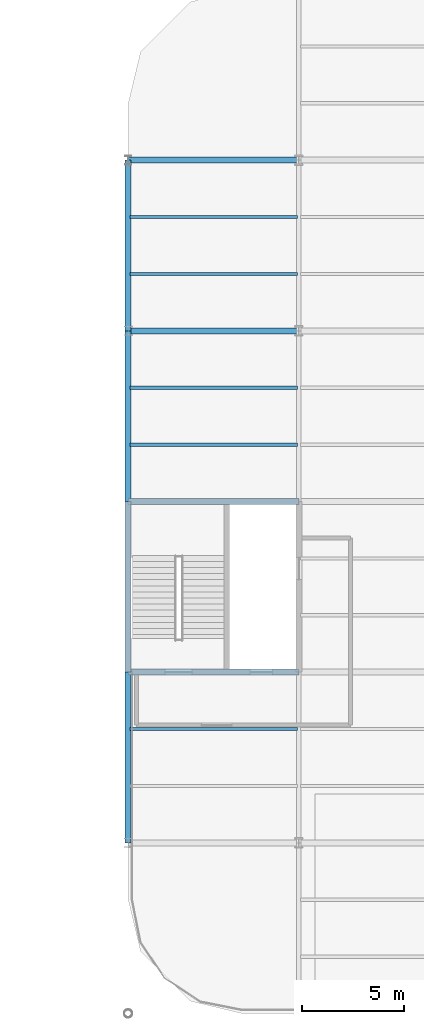
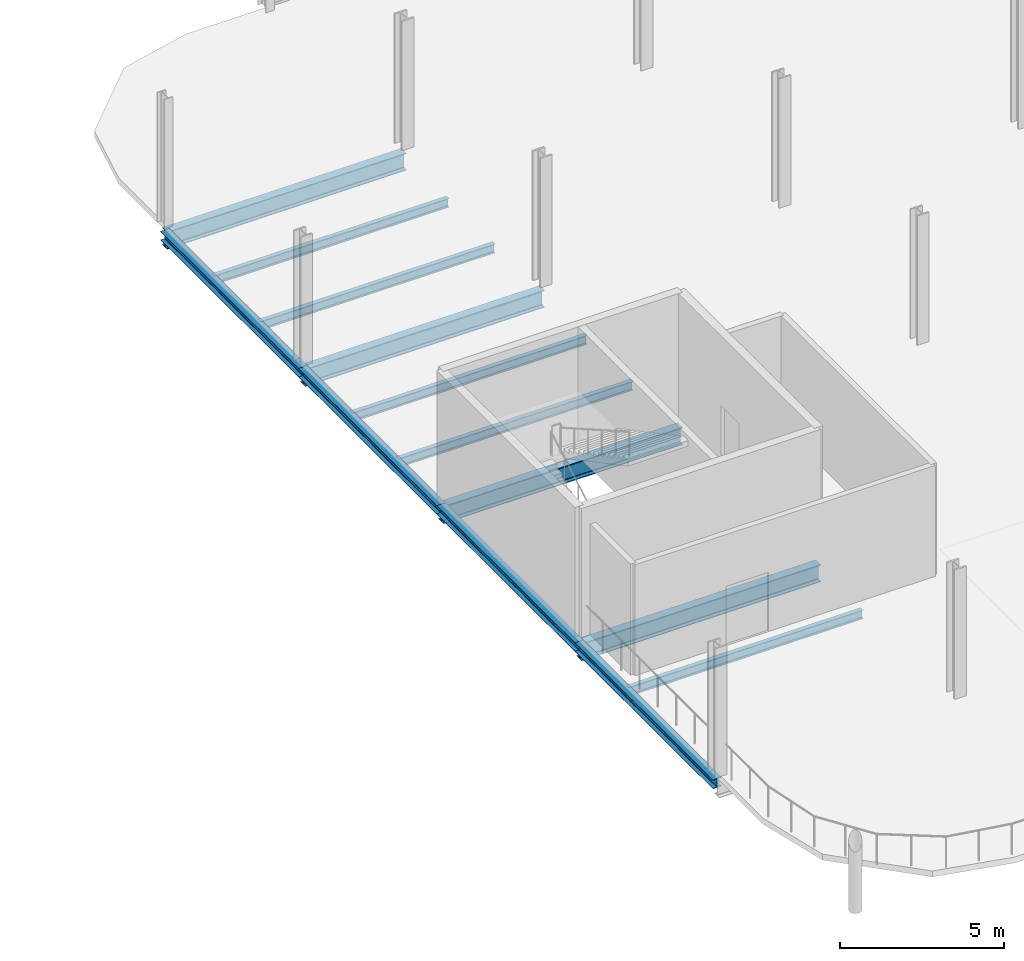
# One storey, part 71 of 145: 13 beams.
"""IFC4 building model written with IfcOpenShell, lengths in metres."""

from ifc_helpers import new_model, si_unit, direction, frame, origin, origin_2d, place, context, subcontext, project, spatial, i_section, extrude, material, material_profile, profile_set, type_object, element, save


model = new_model("IFC4")

# Units and contexts
model_context = context("Model", 3, precision=1e-05, world=origin(), true_north=direction((0.0, 1.0)))
body_context = subcontext(model_context, "Body", "Model", "MODEL_VIEW")
ifc_project = project(units=[si_unit("LENGTHUNIT", "METRE"), si_unit("AREAUNIT", "SQUARE_METRE"), si_unit("VOLUMEUNIT", "CUBIC_METRE"), si_unit("PLANEANGLEUNIT", "RADIAN"), si_unit("MASSUNIT", "GRAM", prefix="KILO")], contexts=[model_context])

# Site, building, storey
site_placement = place(None, origin())
site = spatial("IfcSite", under=ifc_project, at=site_placement, CompositionType="ELEMENT")
building_placement = place(site_placement, origin())
building = spatial("IfcBuilding", under=site, at=building_placement, Name="Qalvenar Corner Mobility Hub", CompositionType="ELEMENT")
storey_placement = place(building_placement, origin())
storey = spatial("IfcBuildingStorey", under=building, at=storey_placement, Name="L00", CompositionType="ELEMENT", Elevation=0.0)

# Beams
ifc_material = material(Name="Steel S355", Category="steel")
ifc_material_profile_1 = material_profile(ifc_material, i_section(OverallWidth=0.300048828125, OverallDepth=0.639892578125, WebThickness=0.013427734375, FlangeThickness=0.02587890625, FilletRadius=0.027099609375, at=origin_2d()), Name="HEA650")
ifc_profile_set_1 = profile_set([ifc_material_profile_1], Name="Steel S355")
beam_type_1 = type_object("IfcBeamType", Name="BM-HEA650", PredefinedType="BEAM", material=ifc_profile_set_1)
for number, where, z_axis, x_axis, name in (
    (1, (58.800048828125, 84.0, -0.5400390625), (1.0, 0.0, 0.0), (0.0, 1.0, 0.0), "Primary Steel Girder GX-0541"),
    (2, (58.800048828125, 92.39990234375, -0.5400390625), (1.0, 0.0, 0.0), (0.0, 1.0, 0.0), "Primary Steel Girder GX-0551"),
    (3, (58.800048828125, 100.800048828125, -0.5400390625), (1.0, 0.0, 0.0), (0.0, 1.0, 0.0), "Primary Steel Girder GX-0561"),
    (4, (58.800048828125, 109.199951171875, -0.5400390625), (1.0, 0.0, 0.0), (0.0, 1.0, 0.0), "Primary Steel Girder GX-0571"),
):
    element("IfcBeam", number, at=place(storey_placement, frame(where, z_axis=z_axis, x_axis=x_axis)), inside=storey, type_object=beam_type_1, Name=name, PredefinedType="BEAM", context=body_context, shape_type="SweptSolid", body=[
        extrude(i_section(OverallWidth=0.300048828125, OverallDepth=0.639892578125, WebThickness=0.013427734375, FlangeThickness=0.02587890625, FilletRadius=0.027099609375, at=origin_2d()), origin(), (0.0, 0.0, 1.0), 8.39990234375),
    ])
ifc_material_profile_2 = material_profile(ifc_material, i_section(OverallWidth=0.159912109375, OverallDepth=0.330078125, WebThickness=0.007568359375, FlangeThickness=0.011474609375, FilletRadius=0.01806640625, at=origin_2d()), Name="IPE330")
ifc_profile_set_2 = profile_set([ifc_material_profile_2], Name="Steel S355")
beam_type_2 = type_object("IfcBeamType", Name="BM-JST330", PredefinedType="JOIST", material=ifc_profile_set_2)
for number, where, z_axis, x_axis, name in (
    (5, (58.8779296875, 81.199951171875, -0.385009765625), (1.0, 0.0, 0.0), (0.0, 1.0, 0.0), "Composite Floor Joist J-0652"),
    (6, (58.8779296875, 95.199951171875, -0.385009765625), (1.0, 0.0, 0.0), (0.0, 1.0, 0.0), "Composite Floor Joist J-0653"),
    (7, (58.8779296875, 98.0, -0.385009765625), (1.0, 0.0, 0.0), (0.0, 1.0, 0.0), "Composite Floor Joist J-0654"),
    (8, (58.8779296875, 103.60009765625, -0.385009765625), (1.0, 0.0, 0.0), (0.0, 1.0, 0.0), "Composite Floor Joist J-0655"),
    (9, (58.8779296875, 106.39990234375, -0.385009765625), (1.0, 0.0, 0.0), (0.0, 1.0, 0.0), "Composite Floor Joist J-0656"),
):
    element("IfcBeam", number, at=place(storey_placement, frame(where, z_axis=z_axis, x_axis=x_axis)), inside=storey, type_object=beam_type_2, Name=name, PredefinedType="JOIST", context=body_context, shape_type="SweptSolid", body=[
        extrude(i_section(OverallWidth=0.159912109375, OverallDepth=0.330078125, WebThickness=0.007568359375, FlangeThickness=0.011474609375, FilletRadius=0.01806640625, at=origin_2d()), origin(), (0.0, 0.0, 1.0), 8.244140625),
    ])
ifc_material_profile_3 = material_profile(ifc_material, i_section(OverallWidth=0.300048828125, OverallDepth=0.330078125, WebThickness=0.009521484375, FlangeThickness=0.0166015625, FilletRadius=0.027099609375, at=origin_2d()), Name="HEA340")
ifc_profile_set_3 = profile_set([ifc_material_profile_3], Name="Steel S355")
beam_type_3 = type_object("IfcBeamType", Name="BM-SPN340", PredefinedType="SPANDREL", material=ifc_profile_set_3)
for number, where, z_axis, x_axis, name in (
    (10, (58.800048828125, 75.60009765625, -0.385009765625), (0.0, 1.0, 0.0), (-1.0, 0.0, 0.0), "Primary Steel Girder GY-0589"),
    (11, (58.800048828125, 84.0, -0.385009765625), (0.0, 1.0, 0.0), (-1.0, 0.0, 0.0), "Primary Steel Girder GY-0590"),
):
    element("IfcBeam", number, at=place(storey_placement, frame(where, z_axis=z_axis, x_axis=x_axis)), inside=storey, type_object=beam_type_3, Name=name, PredefinedType="SPANDREL", context=body_context, shape_type="SweptSolid", body=[
        extrude(i_section(OverallWidth=0.300048828125, OverallDepth=0.330078125, WebThickness=0.009521484375, FlangeThickness=0.0166015625, FilletRadius=0.027099609375, at=origin_2d()), origin(), (0.0, 0.0, 1.0), 8.39990234375),
    ])
beam_1_placement = place(storey_placement, frame((58.800048828125, 92.39990234375, -0.385009765625), z_axis=(0.0, 1.0, 0.0), x_axis=(-1.0, 0.0, 0.0)))
element("IfcBeam", 12, at=beam_1_placement, inside=storey, type_object=beam_type_3, Name="Primary Steel Girder GY-0591", PredefinedType="SPANDREL", context=body_context, shape_type="SweptSolid", body=[
    extrude(i_section(OverallWidth=0.300048828125, OverallDepth=0.330078125, WebThickness=0.009521484375, FlangeThickness=0.0166015625, FilletRadius=0.027099609375, at=origin_2d()), origin(), (0.0, 0.0, 1.0), 8.400146484375),
])
beam_2_placement = place(storey_placement, frame((58.800048828125, 100.800048828125, -0.385009765625), z_axis=(0.0, 1.0, 0.0), x_axis=(-1.0, 0.0, 0.0)))
element("IfcBeam", 13, at=beam_2_placement, inside=storey, type_object=beam_type_3, Name="Primary Steel Girder GY-0592", PredefinedType="SPANDREL", context=body_context, shape_type="SweptSolid", body=[
    extrude(i_section(OverallWidth=0.300048828125, OverallDepth=0.330078125, WebThickness=0.009521484375, FlangeThickness=0.0166015625, FilletRadius=0.027099609375, at=origin_2d()), origin(), (0.0, 0.0, 1.0), 8.39990234375),
])

save(model, "model.ifc")
